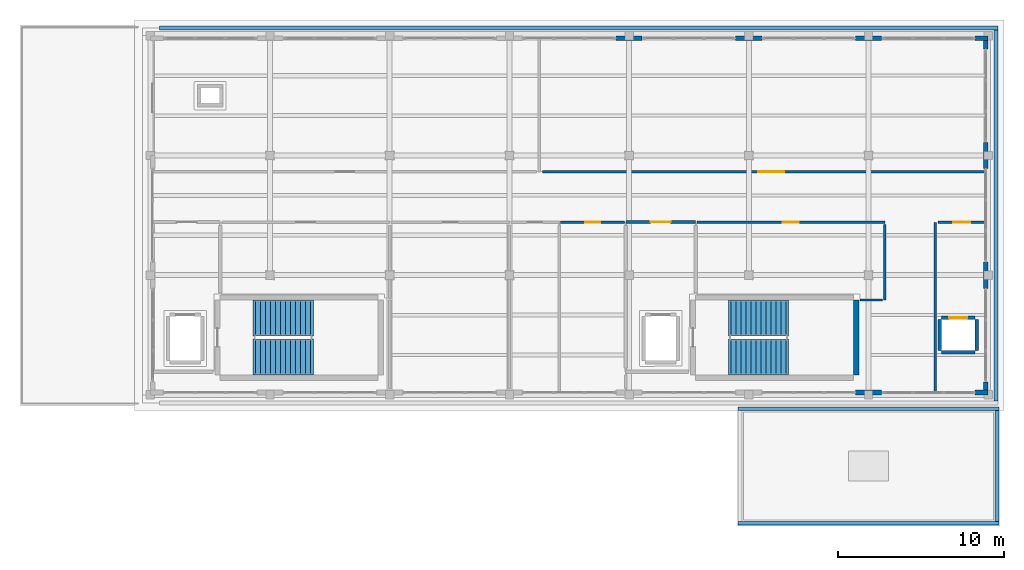
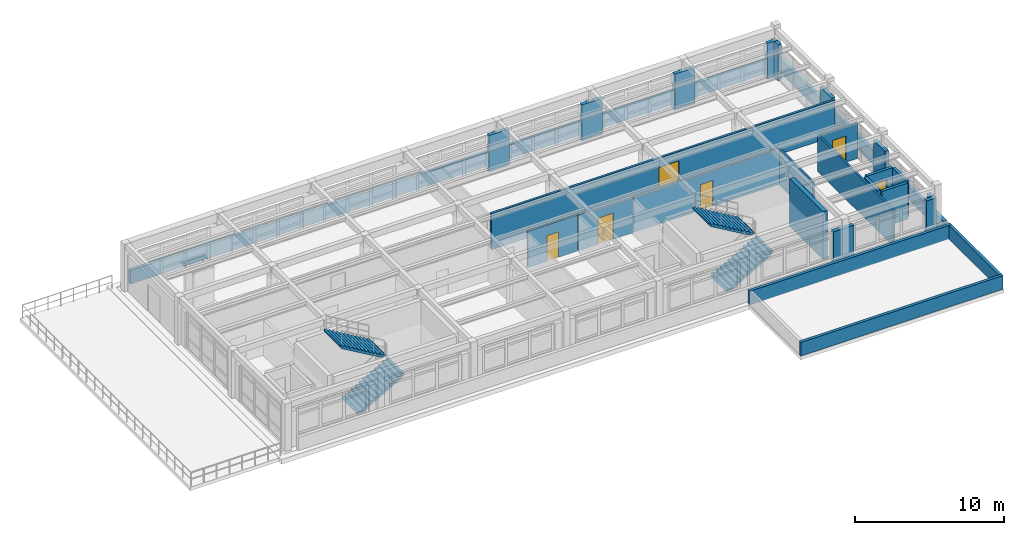
# One storey, part 12 of 15: 28 walls, 6 doors, 4 stair flights, 6 openings, 2 elements without a shape of their own.
"""IFC4 building model written with IfcOpenShell, lengths in metres."""

from ifc_helpers import new_model, si_unit, direction, frame, frame_2d, origin, place, context, subcontext, project, spatial, polyline, rectangle, outline, extrude, material, layer, layer_set, type_object, element, fill, aggregate, save


model = new_model("IFC4")

# Units and contexts
model_context = context("Model", 3, precision=1e-05, world=origin(), true_north=direction((0.0, 1.0)))
body_context = subcontext(model_context, "Body", "Model", "MODEL_VIEW")
ifc_project = project(units=[si_unit("LENGTHUNIT", "METRE"), si_unit("AREAUNIT", "SQUARE_METRE"), si_unit("VOLUMEUNIT", "CUBIC_METRE"), si_unit("PLANEANGLEUNIT", "RADIAN"), si_unit("MASSUNIT", "GRAM", prefix="KILO")], contexts=[model_context])

# Site, building, storey
site_placement = place(None, origin())
site = spatial("IfcSite", under=ifc_project, at=site_placement, CompositionType="ELEMENT")
building_placement = place(site_placement, origin())
building = spatial("IfcBuilding", under=site, at=building_placement, Name="Solenvale Faculty of Natural Sciences", CompositionType="ELEMENT")
storey_placement = place(building_placement, frame((0.0, 0.0, 48.0)))
storey = spatial("IfcBuildingStorey", under=building, at=storey_placement, Name="L11", CompositionType="ELEMENT", Elevation=48.0)

# Walls
ifc_material_1 = material(Name="Precast concrete 40 MPa", Category="concrete")
ifc_layer_1 = layer(ifc_material_1, 0.284912109375)
ifc_layer_set_1 = layer_set([ifc_layer_1], Name="Precast concrete 40 MPa")
wall_type_1 = type_object("IfcWallType", Name="WL-EXT-PRC-285", PredefinedType="STANDARD", material=ifc_layer_set_1)
wall_1_placement = place(storey_placement, frame((151.0576171875, 93.885009765625, 0.0), z_axis=(0.0, 0.0, 1.0), x_axis=(0.0, 1.0, 0.0)))
element("IfcWall", 1, at=wall_1_placement, inside=storey, type_object=wall_type_1, Name="L11 Facade Closure Pier 1.B1-L", PredefinedType="STANDARD", context=body_context, shape_type="SweptSolid", body=[
    extrude(rectangle(XDim=0.5029296875, YDim=0.284912109375, at=frame_2d((0.25146484375, 0.0))), origin(), (0.0, 0.0, 1.0), 2.9599609375),
])
wall_2_placement = place(storey_placement, frame((151.0576171875, 100.011962890625, 0.0), z_axis=(0.0, 0.0, 1.0), x_axis=(0.0, 1.0, 0.0)))
element("IfcWall", 2, at=wall_2_placement, inside=storey, type_object=wall_type_1, Name="L11 Facade Closure Pier 1.B1-R", PredefinedType="STANDARD", context=body_context, shape_type="SweptSolid", body=[
    extrude(rectangle(XDim=1.575927734375, YDim=0.284912109375, at=frame_2d((0.7880859375, 0.0))), origin(), (0.0, 0.0, 1.0), 2.9599609375),
])
wall_3_placement = place(storey_placement, frame((151.0576171875, 107.2119140625, 0.0), z_axis=(0.0, 0.0, 1.0), x_axis=(0.0, 1.0, 0.0)))
element("IfcWall", 3, at=wall_3_placement, inside=storey, type_object=wall_type_1, Name="L11 Facade Closure Pier 1.B2-R", PredefinedType="STANDARD", context=body_context, shape_type="SweptSolid", body=[
    extrude(rectangle(XDim=1.576171875, YDim=0.284912109375, at=frame_2d((0.7880859375, 0.0))), origin(), (0.0, 0.0, 1.0), 2.9599609375),
])
wall_4_placement = place(storey_placement, frame((151.0576171875, 114.412109375, 0.0), z_axis=(0.0, 0.0, 1.0), x_axis=(0.0, 1.0, 0.0)))
element("IfcWall", 4, at=wall_4_placement, inside=storey, type_object=wall_type_1, Name="L11 Facade Closure Pier 1.B3-R", PredefinedType="STANDARD", context=body_context, shape_type="SweptSolid", body=[
    extrude(rectangle(XDim=0.5029296875, YDim=0.284912109375, at=frame_2d((0.25146484375, 0.0))), origin(), (0.0, 0.0, 1.0), 2.9599609375),
])
wall_5_placement = place(storey_placement, frame((151.199951171875, 115.0576171875, 0.0), z_axis=(0.0, 0.0, 1.0), x_axis=(-1.0, 0.0, 0.0)))
element("IfcWall", 5, at=wall_5_placement, inside=storey, type_object=wall_type_1, Name="L11 Facade Closure Pier 2.B1-L", PredefinedType="STANDARD", context=body_context, shape_type="SweptSolid", body=[
    extrude(rectangle(XDim=0.787841796875, YDim=0.284912109375, at=frame_2d((0.39404296875, 0.0))), origin(), (0.0, 0.0, 1.0), 2.9599609375),
])
wall_6_placement = place(storey_placement, frame((144.7880859375, 115.0576171875, 0.0), z_axis=(0.0, 0.0, 1.0), x_axis=(-1.0, 0.0, 0.0)))
element("IfcWall", 6, at=wall_6_placement, inside=storey, type_object=wall_type_1, Name="L11 Facade Closure Pier 2.B1-R", PredefinedType="STANDARD", context=body_context, shape_type="SweptSolid", body=[
    extrude(rectangle(XDim=1.576171875, YDim=0.284912109375, at=frame_2d((0.7880859375, 0.0))), origin(), (0.0, 0.0, 1.0), 2.9599609375),
])
for number, where, z_axis, x_axis, name in (
    (7, (137.587890625, 115.0576171875, 0.0), (0.0, 0.0, 1.0), (-1.0, 0.0, 0.0), "L11 Facade Closure Pier 2.B2-R"),
    (8, (130.387939453125, 115.0576171875, 0.0), (0.0, 0.0, 1.0), (-1.0, 0.0, 0.0), "L11 Facade Closure Pier 2.B3-R"),
):
    element("IfcWall", number, at=place(storey_placement, frame(where, z_axis=z_axis, x_axis=x_axis)), inside=storey, type_object=wall_type_1, Name=name, PredefinedType="STANDARD", context=body_context, shape_type="SweptSolid", body=[
        extrude(rectangle(XDim=1.575927734375, YDim=0.284912109375, at=frame_2d((0.7880859375, 0.0))), origin(), (0.0, 0.0, 1.0), 2.9599609375),
    ])
wall_7_placement = place(storey_placement, frame((143.2119140625, 93.742431640625, 0.0), z_axis=(0.0, 0.0, 1.0), x_axis=(1.0, 0.0, 0.0)))
element("IfcWall", 9, at=wall_7_placement, inside=storey, type_object=wall_type_1, Name="L11 Facade Closure Pier 4.B6-R", PredefinedType="STANDARD", context=body_context, shape_type="SweptSolid", body=[
    extrude(rectangle(XDim=1.576171875, YDim=0.284912109375, at=frame_2d((0.7880859375, 0.0))), origin(), (0.0, 0.0, 1.0), 2.9599609375),
])
wall_8_placement = place(storey_placement, frame((150.412109375, 93.742431640625, 0.0), z_axis=(0.0, 0.0, 1.0), x_axis=(1.0, 0.0, 0.0)))
element("IfcWall", 10, at=wall_8_placement, inside=storey, type_object=wall_type_1, Name="L11 Facade Closure Pier 4.B7-R", PredefinedType="STANDARD", context=body_context, shape_type="SweptSolid", body=[
    extrude(rectangle(XDim=0.787841796875, YDim=0.284912109375, at=frame_2d((0.39404296875, 0.0))), origin(), (0.0, 0.0, 1.0), 2.9599609375),
])

# Wall, opening, door
ifc_material_2 = material(Name="Gypsum fire-rated shaftwall")
ifc_layer_2 = layer(ifc_material_2, 0.205078125)
ifc_layer_set_2 = layer_set([ifc_layer_2], Name="Gypsum fire-rated shaftwall")
wall_type_2 = type_object("IfcWallType", Name="WL-FFL-205", PredefinedType="PARTITIONING", material=ifc_layer_set_2)
wall_9_placement = place(storey_placement, frame((129.39990234375, 104.0, 0.0), z_axis=(0.0, 0.0, 1.0), x_axis=(1.0, 0.0, 0.0)))
wall_9 = element("IfcWall", 11, at=wall_9_placement, inside=storey, type_object=wall_type_2, Name="L11 Firefighting Lobby C5 Partition 1", PredefinedType="PARTITIONING", context=body_context, shape_type="SweptSolid", body=[
    extrude(rectangle(XDim=4.2001953125, YDim=0.205078125, at=frame_2d((2.10009765625, 0.0))), origin(), (0.0, 0.0, 1.0), 2.9599609375),
])
opening_1_placement = place(wall_9_placement, frame((1.5, 0.0, 0.0)))
opening_1 = element("IfcOpeningElement", 12, at=opening_1_placement, cuts=wall_9, Name="Opening D-L11-02", PredefinedType="OPENING", context=body_context, shape_type="SweptSolid", body=[
    extrude(rectangle(XDim=1.199951171875, YDim=2.14990234375, at=frame_2d((0.60009765625, 1.074951171875))), frame((0.0, 0.112548828125, 0.0), z_axis=(0.0, -1.0, 0.0), x_axis=(1.0, 0.0, 0.0)), (0.0, 0.0, 1.0), 0.22509765625),
])
ifc_material_3 = material(Name="Galvanised steel S355", Category="steel")
door_type_1 = type_object("IfcDoorType", Name="DR-FFL-1200x2150", OperationType="NOTDEFINED", PredefinedType="DOOR", material=ifc_material_3)
door_1_placement = place(opening_1_placement, origin())
door_1 = element("IfcDoor", 13, at=door_1_placement, inside=storey, type_object=door_type_1, Name="L11 Firefighting Lobby C5 Door", OperationType="SINGLE_SWING_LEFT", OverallHeight=2.14990234375, OverallWidth=1.199951171875, PredefinedType="DOOR", context=body_context, shape_type="SweptSolid", body=[
    extrude(rectangle(XDim=1.199951171875, YDim=2.14990234375, at=frame_2d((0.60009765625, 1.074951171875))), frame((0.0, 0.02490234375, 0.0), z_axis=(0.0, -1.0, 0.0), x_axis=(1.0, 0.0, 0.0)), (0.0, 0.0, 1.0), 0.050048828125),
])
fill(opening_1, door_1)

ifc_material_4 = material(Name="Gypsum fire-rated laboratory partition")
ifc_layer_3 = layer(ifc_material_4, 0.175048828125)
ifc_layer_set_3 = layer_set([ifc_layer_3], Name="Gypsum fire-rated laboratory partition")
wall_type_3 = type_object("IfcWallType", Name="WL-LAB-175", PredefinedType="PARTITIONING", material=ifc_layer_set_3)
wall_10_placement = place(storey_placement, frame((151.01806640625, 107.02001953125, 0.0), z_axis=(0.0, 0.0, 1.0), x_axis=(-1.0, 0.0, 0.0)))
wall_10 = element("IfcWall", 14, at=wall_10_placement, inside=storey, type_object=wall_type_3, Name="L11 Atmospheric Observatory Laboratory Partition 4", PredefinedType="PARTITIONING", context=body_context, shape_type="SweptSolid", body=[
    extrude(rectangle(XDim=26.635986328125, YDim=0.175048828125, at=frame_2d((13.31787109375, 0.0))), origin(), (0.0, 0.0, 1.0), 2.9599609375),
])
opening_2_placement = place(wall_10_placement, frame((12.093017578125, 0.0, 0.0)))
opening_2 = element("IfcOpeningElement", 15, at=opening_2_placement, cuts=wall_10, Name="Opening D-L11-04", PredefinedType="OPENING", context=body_context, shape_type="SweptSolid", body=[
    extrude(rectangle(XDim=1.550048828125, YDim=2.199951171875, at=frame_2d((0.77490234375, 1.10009765625))), frame((0.0, 0.097412109375, 0.0), z_axis=(0.0, -1.0, 0.0), x_axis=(1.0, 0.0, 0.0)), (0.0, 0.0, 1.0), 0.195068359375),
])
ifc_material_5 = material(Name="Oak acoustic timber leaf", Category="wood")
door_type_2 = type_object("IfcDoorType", Name="DR-LAB-1550x2200", OperationType="NOTDEFINED", PredefinedType="DOOR", material=ifc_material_5)
door_2_placement = place(opening_2_placement, origin())
door_2 = element("IfcDoor", 16, at=door_2_placement, inside=storey, type_object=door_type_2, Name="L11 Atmospheric Observatory Laboratory Door", OperationType="SINGLE_SWING_LEFT", OverallHeight=2.199951171875, OverallWidth=1.550048828125, PredefinedType="DOOR", context=body_context, shape_type="SweptSolid", body=[
    extrude(rectangle(XDim=1.550048828125, YDim=2.199951171875, at=frame_2d((0.77490234375, 1.10009765625))), frame((0.0, 0.02490234375, 0.0), z_axis=(0.0, -1.0, 0.0), x_axis=(1.0, 0.0, 0.0)), (0.0, 0.0, 1.0), 0.050048828125),
])
fill(opening_2, door_2)

ifc_material_6 = material(Name="Acoustic stud gypsum partition")
ifc_layer_4 = layer(ifc_material_6, 0.132080078125)
ifc_layer_set_4 = layer_set([ifc_layer_4], Name="Acoustic stud gypsum partition")
wall_type_4 = type_object("IfcWallType", Name="WL-OFF-132", PredefinedType="PARTITIONING", material=ifc_layer_set_4)
wall_11_placement = place(storey_placement, frame((133.677978515625, 103.97998046875, 0.0), z_axis=(0.0, 0.0, 1.0), x_axis=(1.0, 0.0, 0.0)))
wall_11 = element("IfcWall", 17, at=wall_11_placement, inside=storey, type_object=wall_type_4, Name="L11 Building Electrical and Telecom Closet Partition 18", PredefinedType="PARTITIONING", context=body_context, shape_type="SweptSolid", body=[
    extrude(rectangle(XDim=11.302001953125, YDim=0.132080078125, at=frame_2d((5.65087890625, 0.0))), origin(), (0.0, 0.0, 1.0), 2.9599609375),
])
opening_3_placement = place(wall_11_placement, frame((5.1708984375, 0.0, 0.0)))
opening_3 = element("IfcOpeningElement", 18, at=opening_3_placement, cuts=wall_11, Name="Opening D-L11-09", PredefinedType="OPENING", context=body_context, shape_type="SweptSolid", body=[
    extrude(rectangle(XDim=0.9599609375, YDim=2.10009765625, at=frame_2d((0.47998046875, 1.050048828125))), frame((0.0, 0.075927734375, 0.0), z_axis=(0.0, -1.0, 0.0), x_axis=(1.0, 0.0, 0.0)), (0.0, 0.0, 1.0), 0.152099609375),
])
door_type_3 = type_object("IfcDoorType", Name="DR-OFF-0960x2100", OperationType="NOTDEFINED", PredefinedType="DOOR", material=ifc_material_5)
door_3_placement = place(opening_3_placement, origin())
door_3 = element("IfcDoor", 19, at=door_3_placement, inside=storey, type_object=door_type_3, Name="L11 Building Electrical and Telecom Closet Door", OperationType="SINGLE_SWING_RIGHT", OverallHeight=2.10009765625, OverallWidth=0.9599609375, PredefinedType="DOOR", context=body_context, shape_type="SweptSolid", body=[
    extrude(rectangle(XDim=0.9599609375, YDim=2.10009765625, at=frame_2d((0.47998046875, 1.050048828125))), frame((0.0, 0.02490234375, 0.0), z_axis=(0.0, -1.0, 0.0), x_axis=(1.0, 0.0, 0.0)), (0.0, 0.0, 1.0), 0.050048828125),
])
fill(opening_3, door_3)

# Walls
wall_12_placement = place(storey_placement, frame((144.97998046875, 103.8359375, 0.0), z_axis=(0.0, 0.0, 1.0), x_axis=(0.0, -1.0, 0.0)))
element("IfcWall", 20, at=wall_12_placement, inside=storey, type_object=wall_type_4, Name="L11 Building Electrical and Telecom Closet Partition 19", PredefinedType="PARTITIONING", context=body_context, shape_type="SweptSolid", body=[
    extrude(rectangle(XDim=4.535888671875, YDim=0.132080078125, at=frame_2d((2.26806640625, 0.0))), origin(), (0.0, 0.0, 1.0), 2.9599609375),
])
wall_13_placement = place(storey_placement, frame((144.8359375, 99.300048828125, 0.0), z_axis=(0.0, 0.0, 1.0), x_axis=(-1.0, 0.0, 0.0)))
element("IfcWall", 21, at=wall_13_placement, inside=storey, type_object=wall_type_4, Name="L11 Building Electrical and Telecom Closet Partition 20", PredefinedType="PARTITIONING", context=body_context, shape_type="SweptSolid", body=[
    extrude(rectangle(XDim=1.337890625, YDim=0.132080078125, at=frame_2d((0.6689453125, 0.0))), origin(), (0.0, 0.0, 1.0), 2.9599609375),
])
ifc_layer_5 = layer(ifc_material_6, 0.14794921875)
ifc_layer_set_5 = layer_set([ifc_layer_5], Name="Acoustic stud gypsum partition")
wall_type_5 = type_object("IfcWallType", Name="WL-OFF-148", PredefinedType="PARTITIONING", material=ifc_layer_set_5)
wall_14_placement = place(storey_placement, frame((148.02001953125, 93.782958984375, 0.0), z_axis=(0.0, 0.0, 1.0), x_axis=(0.0, 1.0, 0.0)))
element("IfcWall", 22, at=wall_14_placement, inside=storey, type_object=wall_type_5, Name="L11 Elevator Lobby Partition 3", PredefinedType="PARTITIONING", context=body_context, shape_type="SweptSolid", body=[
    extrude(rectangle(XDim=10.197021484375, YDim=0.14794921875, at=frame_2d((5.0986328125, 0.0))), origin(), (0.0, 0.0, 1.0), 2.9599609375),
])

# Wall, opening, door
wall_15_placement = place(storey_placement, frame((148.179931640625, 103.97998046875, 0.0), z_axis=(0.0, 0.0, 1.0), x_axis=(1.0, 0.0, 0.0)))
wall_15 = element("IfcWall", 23, at=wall_15_placement, inside=storey, type_object=wall_type_5, Name="L11 Elevator Lobby Partition 4", PredefinedType="PARTITIONING", context=body_context, shape_type="SweptSolid", body=[
    extrude(rectangle(XDim=2.838134765625, YDim=0.14794921875, at=frame_2d((1.4189453125, 0.0))), origin(), (0.0, 0.0, 1.0), 2.9599609375),
])
opening_4_placement = place(wall_15_placement, frame((0.908935546875, 0.0, 0.0)))
opening_4 = element("IfcOpeningElement", 24, at=opening_4_placement, cuts=wall_15, Name="Opening D-L11-10", PredefinedType="OPENING", context=body_context, shape_type="SweptSolid", body=[
    extrude(rectangle(XDim=1.02001953125, YDim=2.14990234375, at=frame_2d((0.510009765625, 1.074951171875))), frame((0.0, 0.083984375, 0.0), z_axis=(0.0, -1.0, 0.0), x_axis=(1.0, 0.0, 0.0)), (0.0, 0.0, 1.0), 0.16796875),
])
door_type_4 = type_object("IfcDoorType", Name="DR-OFF-1020x2150", OperationType="NOTDEFINED", PredefinedType="DOOR", material=ifc_material_5)
door_4_placement = place(opening_4_placement, origin())
door_4 = element("IfcDoor", 25, at=door_4_placement, inside=storey, type_object=door_type_4, Name="L11 Elevator Lobby Door", OperationType="SINGLE_SWING_LEFT", OverallHeight=2.14990234375, OverallWidth=1.02001953125, PredefinedType="DOOR", context=body_context, shape_type="SweptSolid", body=[
    extrude(rectangle(XDim=1.02001953125, YDim=2.14990234375, at=frame_2d((0.510009765625, 1.074951171875))), frame((0.0, 0.02490234375, 0.0), z_axis=(0.0, -1.0, 0.0), x_axis=(1.0, 0.0, 0.0)), (0.0, 0.0, 1.0), 0.050048828125),
])
fill(opening_4, door_4)

# Walls
ifc_material_7 = material(Name="Architectural bronze concrete 40 MPa", Category="concrete")
ifc_layer_6 = layer(ifc_material_7, 0.239990234375)
ifc_layer_set_6 = layer_set([ifc_layer_6], Name="Architectural bronze concrete 40 MPa")
wall_type_6 = type_object("IfcWallType", Name="WL-PAR-BRZ-240", PredefinedType="PARAPET", material=ifc_layer_set_6)
wall_16_placement = place(storey_placement, frame((101.360107421875, 115.679931640625, 0.0), z_axis=(0.0, 0.0, 1.0), x_axis=(1.0, 0.0, 0.0)))
element("IfcWall", 26, at=wall_16_placement, inside=storey, type_object=wall_type_6, Name="L11 Tower Horizontal Concrete Band 1", PredefinedType="PARAPET", context=body_context, shape_type="SweptSolid", body=[
    extrude(rectangle(XDim=50.43994140625, YDim=0.239990234375, at=frame_2d((25.219970703125, 0.0))), origin(), (0.0, 0.0, 1.0), 1.1201171875),
])
wall_17_placement = place(storey_placement, frame((151.679931640625, 115.56005859375, 0.0), z_axis=(0.0, 0.0, 1.0), x_axis=(0.0, -1.0, 0.0)))
element("IfcWall", 27, at=wall_17_placement, inside=storey, type_object=wall_type_6, Name="L11 Tower Horizontal Concrete Band 2", PredefinedType="PARAPET", context=body_context, shape_type="SweptSolid", body=[
    extrude(rectangle(XDim=22.320068359375, YDim=0.239990234375, at=frame_2d((11.16015625, 0.0))), origin(), (0.0, 0.0, 1.0), 1.1201171875),
])
ifc_layer_7 = layer(ifc_material_1, 0.219970703125)
ifc_layer_set_7 = layer_set([ifc_layer_7], Name="Precast concrete 40 MPa")
wall_type_7 = type_object("IfcWallType", Name="WL-PAR-PRC-220", PredefinedType="PARAPET", material=ifc_layer_set_7)
wall_18_placement = place(storey_placement, frame((136.159912109375, 92.77001953125, 0.0), z_axis=(0.0, 0.0, 1.0), x_axis=(1.0, 0.0, 0.0)))
element("IfcWall", 28, at=wall_18_placement, inside=storey, type_object=wall_type_7, Name="L11 Roof Parapet 7.2", PredefinedType="PARAPET", context=body_context, shape_type="SweptSolid", body=[
    extrude(rectangle(XDim=15.68017578125, YDim=0.219970703125, at=frame_2d((7.840087890625, 0.0))), origin(), (0.0, 0.0, 1.0), 1.1201171875),
])
wall_19_placement = place(storey_placement, frame((151.72998046875, 92.659912109375, 0.0), z_axis=(0.0, 0.0, 1.0), x_axis=(0.0, -1.0, 0.0)))
element("IfcWall", 29, at=wall_19_placement, inside=storey, type_object=wall_type_7, Name="L11 Roof Parapet 7.3", PredefinedType="PARAPET", context=body_context, shape_type="SweptSolid", body=[
    extrude(rectangle(XDim=6.679931640625, YDim=0.219970703125, at=frame_2d((3.33984375, 0.0))), origin(), (0.0, 0.0, 1.0), 1.1201171875),
])
wall_20_placement = place(storey_placement, frame((151.840087890625, 85.8701171875, 0.0), z_axis=(0.0, 0.0, 1.0), x_axis=(-1.0, 0.0, 0.0)))
element("IfcWall", 30, at=wall_20_placement, inside=storey, type_object=wall_type_7, Name="L11 Roof Parapet 7.4", PredefinedType="PARAPET", context=body_context, shape_type="SweptSolid", body=[
    extrude(rectangle(XDim=15.68017578125, YDim=0.219970703125, at=frame_2d((7.840087890625, 0.0))), origin(), (0.0, 0.0, 1.0), 1.1201171875),
])
ifc_material_8 = material(Name="Concrete 40 MPa", Category="concrete")
ifc_layer_8 = layer(ifc_material_8, 0.219970703125)
ifc_layer_set_8 = layer_set([ifc_layer_8], Name="Concrete 40 MPa")
wall_type_8 = type_object("IfcWallType", Name="WL-SHF-220", PredefinedType="STANDARD", material=ifc_layer_set_8)
wall_21_placement = place(storey_placement, frame((148.405029296875, 96.169921875, 0.0), z_axis=(0.0, 0.0, 1.0), x_axis=(1.0, 0.0, 0.0)))
element("IfcWall", 31, at=wall_21_placement, inside=storey, type_object=wall_type_8, Name="Elevator LP-03 L11 Shaft Wall S", PredefinedType="STANDARD", context=body_context, shape_type="SweptSolid", body=[
    extrude(rectangle(XDim=1.989990234375, YDim=0.219970703125, at=frame_2d((0.9951171875, 0.0))), origin(), (0.0, 0.0, 1.0), 2.9599609375),
])

# Wall, opening, door
wall_22_placement = place(storey_placement, frame((148.405029296875, 98.22998046875, 0.0), z_axis=(0.0, 0.0, 1.0), x_axis=(1.0, 0.0, 0.0)))
wall_22 = element("IfcWall", 32, at=wall_22_placement, inside=storey, type_object=wall_type_8, Name="Elevator LP-03 L11 Shaft Wall N", PredefinedType="STANDARD", context=body_context, shape_type="SweptSolid", body=[
    extrude(rectangle(XDim=1.989990234375, YDim=0.219970703125, at=frame_2d((0.9951171875, 0.0))), origin(), (0.0, 0.0, 1.0), 2.9599609375),
])
opening_5_placement = place(wall_22_placement, frame((0.445068359375, 0.0, 0.0)))
opening_5 = element("IfcOpeningElement", 33, at=opening_5_placement, cuts=wall_22, Name="Opening LD-LP-03-L11", PredefinedType="OPENING", context=body_context, shape_type="SweptSolid", body=[
    extrude(rectangle(XDim=1.10009765625, YDim=2.14990234375, at=frame_2d((0.550048828125, 1.074951171875))), frame((0.0, 0.119873046875, 0.0), z_axis=(0.0, -1.0, 0.0), x_axis=(1.0, 0.0, 0.0)), (0.0, 0.0, 1.0), 0.239990234375),
])
ifc_material_9 = material(Name="Stainless steel Grade 304", Category="steel")
door_type_5 = type_object("IfcDoorType", Name="DR-LIFT-1100x2150", OperationType="NOTDEFINED", PredefinedType="DOOR", material=ifc_material_9)
door_5_placement = place(opening_5_placement, origin())
door_5 = element("IfcDoor", 34, at=door_5_placement, inside=storey, type_object=door_type_5, Name="Elevator LP-03 L11 Sliding Landing Door", OperationType="SLIDING_TO_RIGHT", OverallHeight=2.14990234375, OverallWidth=1.10009765625, PredefinedType="DOOR", context=body_context, shape_type="SweptSolid", body=[
    extrude(rectangle(XDim=1.10009765625, YDim=2.14990234375, at=frame_2d((0.550048828125, 1.074951171875))), frame((0.0, 0.02490234375, 0.0), z_axis=(0.0, -1.0, 0.0), x_axis=(1.0, 0.0, 0.0)), (0.0, 0.0, 1.0), 0.050048828125),
])
fill(opening_5, door_5)

# Walls
for number, where, z_axis, x_axis, name in (
    (35, (148.294921875, 96.280029296875, 0.0), (0.0, 0.0, 1.0), (0.0, 1.0, 0.0), "Elevator LP-03 L11 Shaft Wall W"),
    (36, (150.5048828125, 96.280029296875, 0.0), (0.0, 0.0, 1.0), (0.0, 1.0, 0.0), "Elevator LP-03 L11 Shaft Wall E"),
):
    element("IfcWall", number, at=place(storey_placement, frame(where, z_axis=z_axis, x_axis=x_axis)), inside=storey, type_object=wall_type_8, Name=name, PredefinedType="STANDARD", context=body_context, shape_type="SweptSolid", body=[
        extrude(rectangle(XDim=1.840087890625, YDim=0.219970703125, at=frame_2d((0.919921875, 0.0))), origin(), (0.0, 0.0, 1.0), 2.9599609375),
    ])
ifc_layer_9 = layer(ifc_material_8, 0.320068359375)
ifc_layer_set_9 = layer_set([ifc_layer_9], Name="Concrete 40 MPa")
wall_type_9 = type_object("IfcWallType", Name="WL-SHR-320", PredefinedType="SHEAR", material=ifc_layer_set_9)
wall_23_placement = place(storey_placement, frame((143.260009765625, 94.800048828125, 0.0), z_axis=(0.0, 0.0, 1.0), x_axis=(0.0, 1.0, 0.0)))
element("IfcWall", 37, at=wall_23_placement, inside=storey, type_object=wall_type_9, Name="Core C5 L11 Shear Wall E", PredefinedType="SHEAR", context=body_context, shape_type="SweptSolid", body=[
    extrude(rectangle(XDim=4.5, YDim=0.320068359375, at=frame_2d((2.25, 0.0))), origin(), (0.0, 0.0, 1.0), 3.919921875),
])

# Wall, opening, door
ifc_material_10 = material(Name="Moisture-resistant tile partition")
ifc_layer_10 = layer(ifc_material_10, 0.14990234375)
ifc_layer_set_10 = layer_set([ifc_layer_10], Name="Moisture-resistant tile partition")
wall_type_10 = type_object("IfcWallType", Name="WL-WC-150", PredefinedType="PARTITIONING", material=ifc_layer_set_10)
wall_24_placement = place(storey_placement, frame((125.487060546875, 103.97998046875, 0.0), z_axis=(0.0, 0.0, 1.0), x_axis=(1.0, 0.0, 0.0)))
wall_24 = element("IfcWall", 38, at=wall_24_placement, inside=storey, type_object=wall_type_10, Name="L11 Accessible Washroom Partition 2", PredefinedType="PARTITIONING", context=body_context, shape_type="SweptSolid", body=[
    extrude(rectangle(XDim=3.825927734375, YDim=0.14990234375, at=frame_2d((1.9130859375, 0.0))), origin(), (0.0, 0.0, 1.0), 2.9599609375),
])
opening_6_placement = place(wall_24_placement, frame((1.462890625, 0.0, 0.0)))
opening_6 = element("IfcOpeningElement", 39, at=opening_6_placement, cuts=wall_24, Name="Opening D-L11-08", PredefinedType="OPENING", context=body_context, shape_type="SweptSolid", body=[
    extrude(rectangle(XDim=0.89990234375, YDim=2.10009765625, at=frame_2d((0.449951171875, 1.050048828125))), frame((0.0, 0.0849609375, 0.0), z_axis=(0.0, -1.0, 0.0), x_axis=(1.0, 0.0, 0.0)), (0.0, 0.0, 1.0), 0.169921875),
])
door_type_6 = type_object("IfcDoorType", Name="DR-WC-0900x2100", OperationType="NOTDEFINED", PredefinedType="DOOR", material=ifc_material_5)
door_6_placement = place(opening_6_placement, origin())
door_6 = element("IfcDoor", 40, at=door_6_placement, inside=storey, type_object=door_type_6, Name="L11 Accessible Washroom Door", OperationType="SINGLE_SWING_LEFT", OverallHeight=2.10009765625, OverallWidth=0.89990234375, PredefinedType="DOOR", context=body_context, shape_type="SweptSolid", body=[
    extrude(rectangle(XDim=0.89990234375, YDim=2.10009765625, at=frame_2d((0.449951171875, 1.050048828125))), frame((0.0, 0.02490234375, 0.0), z_axis=(0.0, -1.0, 0.0), x_axis=(1.0, 0.0, 0.0)), (0.0, 0.0, 1.0), 0.050048828125),
])
fill(opening_6, door_6)

# Stair, stair flights
stair_type = type_object("IfcStairType", Name="STR-CORE-25R", PredefinedType="DOUBLE_RETURN_STAIR", material=ifc_material_8)
stair_1_placement = place(storey_placement, origin())
stair_1 = element("IfcStair", 41, at=stair_1_placement, inside=storey, type_object=stair_type, Name="L11 Protected Exit Stair ST-04", PredefinedType="DOUBLE_RETURN_STAIR")
stair_flight_type = type_object("IfcStairFlightType", Name="SFL-RC-25R", PredefinedType="STRAIGHT", material=ifc_material_8)
stair_flight_1_placement = place(storey_placement, frame((107.139892578125, 95.875, 0.0), z_axis=(0.0, 0.0, 1.0), x_axis=(1.0, 0.0, 0.0)))
stair_flight_1 = element("IfcStairFlight", 42, at=stair_flight_1_placement, type_object=stair_flight_type, Name="ST-04 flight 1", NumberOfRisers=12, NumberOfTreads=11, PredefinedType="STRAIGHT", RiserHeight=0.175, TreadLength=0.3, context=body_context, shape_type="SweptSolid", body=[
    extrude(outline(polyline([(-0.159912109375, 0.0), (0.0, 0.175048828125), (0.300048828125, 0.175048828125), (0.300048828125, 0.35009765625), (0.60009765625, 0.35009765625), (0.60009765625, 0.52490234375), (0.89990234375, 0.52490234375), (0.89990234375, 0.699951171875), (1.199951171875, 0.699951171875), (1.199951171875, 0.875), (1.5, 0.875), (1.5, 1.050048828125), (1.800048828125, 1.050048828125), (1.800048828125, 1.22509765625), (2.10009765625, 1.22509765625), (2.10009765625, 1.39990234375), (2.39990234375, 1.39990234375), (2.39990234375, 1.574951171875), (2.699951171875, 1.574951171875), (2.699951171875, 1.75), (3.0, 1.75), (3.0, 1.925048828125), (3.300048828125, 1.925048828125), (3.300048828125, 2.10009765625), (3.4599609375, 2.10009765625), (3.4599609375, 1.9501953125), (3.300048828125, 1.75146484375), (0.297607421875, 0.0), (-0.159912109375, 0.0)])), frame((0.0, 1.074951171875, 0.0), z_axis=(0.0, -1.0, 0.0), x_axis=(1.0, 0.0, 0.0)), (0.0, 0.0, 1.0), 2.14990234375),
])
stair_flight_2_placement = place(storey_placement, frame((110.43994140625, 98.22509765625, 2.10009765625), z_axis=(0.0, 0.0, 1.0), x_axis=(-1.0, 0.0, 0.0)))
stair_flight_2 = element("IfcStairFlight", 43, at=stair_flight_2_placement, type_object=stair_flight_type, Name="ST-04 flight 2", NumberOfRisers=12, NumberOfTreads=11, PredefinedType="STRAIGHT", RiserHeight=0.175, TreadLength=0.3, context=body_context, shape_type="SweptSolid", body=[
    extrude(outline(polyline([(-0.159912109375, 0.0), (0.0, 0.175048828125), (0.300048828125, 0.175048828125), (0.300048828125, 0.35009765625), (0.60009765625, 0.35009765625), (0.60009765625, 0.52490234375), (0.89990234375, 0.52490234375), (0.89990234375, 0.699951171875), (1.199951171875, 0.699951171875), (1.199951171875, 0.875), (1.5, 0.875), (1.5, 1.050048828125), (1.800048828125, 1.050048828125), (1.800048828125, 1.22509765625), (2.10009765625, 1.22509765625), (2.10009765625, 1.39990234375), (2.39990234375, 1.39990234375), (2.39990234375, 1.574951171875), (2.699951171875, 1.574951171875), (2.699951171875, 1.75), (3.0, 1.75), (3.0, 1.925048828125), (3.300048828125, 1.925048828125), (3.300048828125, 2.10009765625), (3.4599609375, 2.10009765625), (3.4599609375, 1.9501953125), (3.300048828125, 1.75146484375), (0.297607421875, 0.0), (-0.159912109375, 0.0)])), frame((0.0, 1.074951171875, 0.0), z_axis=(0.0, -1.0, 0.0), x_axis=(1.0, 0.0, 0.0)), (0.0, 0.0, 1.0), 2.14990234375),
])
aggregate(stair_1, [stair_flight_1, stair_flight_2])

stair_2_placement = place(storey_placement, origin())
stair_2 = element("IfcStair", 44, at=stair_2_placement, inside=storey, type_object=stair_type, Name="L11 Protected Exit Stair ST-05", PredefinedType="DOUBLE_RETURN_STAIR")
stair_flight_3_placement = place(storey_placement, frame((135.739990234375, 95.875, 0.0), z_axis=(0.0, 0.0, 1.0), x_axis=(1.0, 0.0, 0.0)))
stair_flight_3 = element("IfcStairFlight", 45, at=stair_flight_3_placement, type_object=stair_flight_type, Name="ST-05 flight 1", NumberOfRisers=12, NumberOfTreads=11, PredefinedType="STRAIGHT", RiserHeight=0.175, TreadLength=0.3, context=body_context, shape_type="SweptSolid", body=[
    extrude(outline(polyline([(-0.159912109375, 0.0), (0.0, 0.175048828125), (0.300048828125, 0.175048828125), (0.300048828125, 0.35009765625), (0.60009765625, 0.35009765625), (0.60009765625, 0.52490234375), (0.89990234375, 0.52490234375), (0.89990234375, 0.699951171875), (1.199951171875, 0.699951171875), (1.199951171875, 0.875), (1.5, 0.875), (1.5, 1.050048828125), (1.800048828125, 1.050048828125), (1.800048828125, 1.22509765625), (2.10009765625, 1.22509765625), (2.10009765625, 1.39990234375), (2.39990234375, 1.39990234375), (2.39990234375, 1.574951171875), (2.699951171875, 1.574951171875), (2.699951171875, 1.75), (3.0, 1.75), (3.0, 1.925048828125), (3.300048828125, 1.925048828125), (3.300048828125, 2.10009765625), (3.4599609375, 2.10009765625), (3.4599609375, 1.9501953125), (3.300048828125, 1.75146484375), (0.297607421875, 0.0), (-0.159912109375, 0.0)])), frame((0.0, 1.074951171875, 0.0), z_axis=(0.0, -1.0, 0.0), x_axis=(1.0, 0.0, 0.0)), (0.0, 0.0, 1.0), 2.14990234375),
])
stair_flight_4_placement = place(storey_placement, frame((139.0400390625, 98.22509765625, 2.10009765625), z_axis=(0.0, 0.0, 1.0), x_axis=(-1.0, 0.0, 0.0)))
stair_flight_4 = element("IfcStairFlight", 46, at=stair_flight_4_placement, type_object=stair_flight_type, Name="ST-05 flight 2", NumberOfRisers=12, NumberOfTreads=11, PredefinedType="STRAIGHT", RiserHeight=0.175, TreadLength=0.3, context=body_context, shape_type="SweptSolid", body=[
    extrude(outline(polyline([(-0.159912109375, 0.0), (0.0, 0.175048828125), (0.300048828125, 0.175048828125), (0.300048828125, 0.35009765625), (0.60009765625, 0.35009765625), (0.60009765625, 0.52490234375), (0.89990234375, 0.52490234375), (0.89990234375, 0.699951171875), (1.199951171875, 0.699951171875), (1.199951171875, 0.875), (1.5, 0.875), (1.5, 1.050048828125), (1.800048828125, 1.050048828125), (1.800048828125, 1.22509765625), (2.10009765625, 1.22509765625), (2.10009765625, 1.39990234375), (2.39990234375, 1.39990234375), (2.39990234375, 1.574951171875), (2.699951171875, 1.574951171875), (2.699951171875, 1.75), (3.0, 1.75), (3.0, 1.925048828125), (3.300048828125, 1.925048828125), (3.300048828125, 2.10009765625), (3.4599609375, 2.10009765625), (3.4599609375, 1.9501953125), (3.300048828125, 1.75146484375), (0.297607421875, 0.0), (-0.159912109375, 0.0)])), frame((0.0, 1.074951171875, 0.0), z_axis=(0.0, -1.0, 0.0), x_axis=(1.0, 0.0, 0.0)), (0.0, 0.0, 1.0), 2.14990234375),
])
aggregate(stair_2, [stair_flight_3, stair_flight_4])

save(model, "model.ifc")
